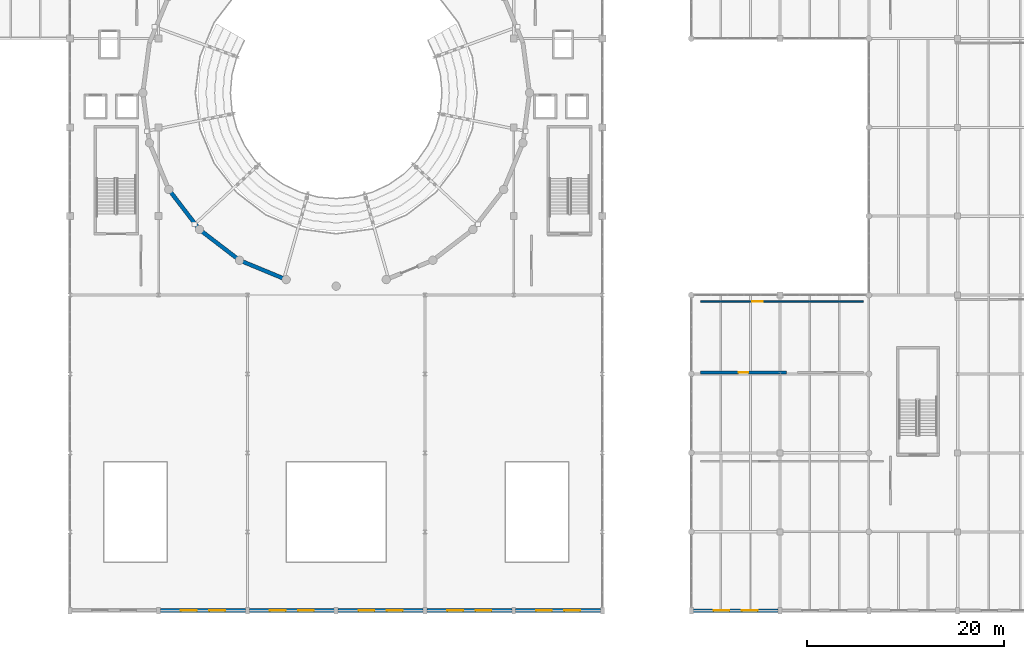
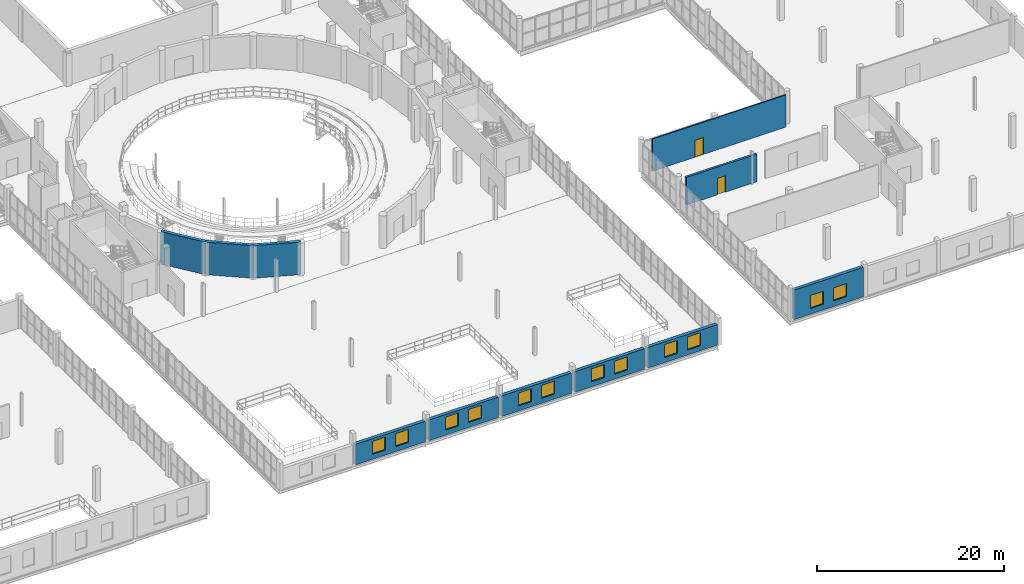
# One storey, part 56 of 73: 12 windows, 11 walls, 2 doors, 14 openings.
"""IFC4 building model written with IfcOpenShell, lengths in metres."""

from ifc_helpers import new_model, si_unit, direction, frame, frame_2d, origin, place, context, subcontext, project, spatial, rectangle, extrude, material, layer, layer_set, type_object, element, fill, save


model = new_model("IFC4")

# Units and contexts
model_context = context("Model", 3, precision=1e-05, world=origin(), true_north=direction((0.0, 1.0)))
body_context = subcontext(model_context, "Body", "Model", "MODEL_VIEW")
ifc_project = project(units=[si_unit("LENGTHUNIT", "METRE"), si_unit("AREAUNIT", "SQUARE_METRE"), si_unit("VOLUMEUNIT", "CUBIC_METRE"), si_unit("PLANEANGLEUNIT", "RADIAN"), si_unit("MASSUNIT", "GRAM", prefix="KILO")], contexts=[model_context])

# Site, building, storey
site_placement = place(None, origin())
site = spatial("IfcSite", under=ifc_project, at=site_placement, CompositionType="ELEMENT")
building_placement = place(site_placement, origin())
building = spatial("IfcBuilding", under=site, at=building_placement, Name="Marnock Terrace Opera House", CompositionType="ELEMENT")
storey_placement = place(building_placement, frame((0.0, 0.0, 14.699951171875)))
storey = spatial("IfcBuildingStorey", under=building, at=storey_placement, Name="L03", CompositionType="ELEMENT", Elevation=14.699951171875)

# Wall, openings, windows
ifc_material_1 = material(Name="Basket Range sandstone ashlar masonry", Category="masonry")
ifc_layer_1 = layer(ifc_material_1, 0.389892578125)
ifc_layer_set_1 = layer_set([ifc_layer_1], Name="Basket Range sandstone ashlar masonry")
wall_type_1 = type_object("IfcWallType", Name="EW-ASHLAR-390", PredefinedType="SOLIDWALL", material=ifc_layer_set_1)
wall_1_placement = place(storey_placement, frame((118.196044921875, 8.0, 0.0), z_axis=(0.0, 0.0, 1.0), x_axis=(1.0, 0.0, 0.0)))
wall_1 = element("IfcWall", 1, at=wall_1_placement, inside=storey, type_object=wall_type_1, Name="L03 Volume 5 south sandstone facade 1", PredefinedType="SOLIDWALL", context=body_context, shape_type="SweptSolid", body=[
    extrude(rectangle(XDim=8.60791015625, YDim=0.389892578125, at=frame_2d((4.303955078125, 0.0))), origin(), (0.0, 0.0, 1.0), 3.841552734375),
])
opening_1_placement = place(wall_1_placement, frame((2.0693359375, 0.0, 0.75)))
opening_1 = element("IfcOpeningElement", 2, at=opening_1_placement, cuts=wall_1, Name="Opening WT-107", PredefinedType="OPENING", context=body_context, shape_type="SweptSolid", body=[
    extrude(rectangle(XDim=1.60009765625, YDim=1.699951171875, at=frame_2d((0.800048828125, 0.85009765625))), frame((0.0, 0.204833984375, 0.0), z_axis=(0.0, -1.0, 0.0), x_axis=(1.0, 0.0, 0.0)), (0.0, 0.0, 1.0), 0.409912109375),
])
opening_2_placement = place(wall_1_placement, frame((4.938720703125, 0.0, 0.75)))
opening_2 = element("IfcOpeningElement", 3, at=opening_2_placement, cuts=wall_1, Name="Opening WT-107", PredefinedType="OPENING", context=body_context, shape_type="SweptSolid", body=[
    extrude(rectangle(XDim=1.60009765625, YDim=1.699951171875, at=frame_2d((0.800048828125, 0.85009765625))), frame((0.0, 0.204833984375, 0.0), z_axis=(0.0, -1.0, 0.0), x_axis=(1.0, 0.0, 0.0)), (0.0, 0.0, 1.0), 0.409912109375),
])
ifc_material_2 = material(Name="Double-glazed acoustic low-E laminated glass", Category="glass")
window_type = type_object("IfcWindowType", Name="WT-ATTIC-1600", PartitioningType="SINGLE_PANEL", PredefinedType="WINDOW", material=ifc_material_2)
window_1_placement = place(opening_1_placement, origin())
window_1 = element("IfcWindow", 4, at=window_1_placement, inside=storey, type_object=window_type, Name="L03 facade window EW-V5S-L03-1.1", OverallHeight=1.699951171875, OverallWidth=1.60009765625, PartitioningType="SINGLE_PANEL", PredefinedType="WINDOW", context=body_context, shape_type="SweptSolid", body=[
    extrude(rectangle(XDim=1.60009765625, YDim=1.699951171875, at=frame_2d((0.800048828125, 0.85009765625))), frame((0.0, 0.030029296875, 0.0), z_axis=(0.0, -1.0, 0.0), x_axis=(1.0, 0.0, 0.0)), (0.0, 0.0, 1.0), 0.06005859375),
])
fill(opening_1, window_1)
window_2_placement = place(opening_2_placement, origin())
window_2 = element("IfcWindow", 5, at=window_2_placement, inside=storey, type_object=window_type, Name="L03 facade window EW-V5S-L03-1.2", OverallHeight=1.699951171875, OverallWidth=1.60009765625, PartitioningType="SINGLE_PANEL", PredefinedType="WINDOW", context=body_context, shape_type="SweptSolid", body=[
    extrude(rectangle(XDim=1.60009765625, YDim=1.699951171875, at=frame_2d((0.800048828125, 0.85009765625))), frame((0.0, 0.030029296875, 0.0), z_axis=(0.0, -1.0, 0.0), x_axis=(1.0, 0.0, 0.0)), (0.0, 0.0, 1.0), 0.06005859375),
])
fill(opening_2, window_2)

ifc_layer_2 = layer(ifc_material_1, 0.405029296875)
ifc_layer_set_2 = layer_set([ifc_layer_2], Name="Basket Range sandstone ashlar masonry")
wall_type_2 = type_object("IfcWallType", Name="EW-ASHLAR-405", PredefinedType="SOLIDWALL", material=ifc_layer_set_2)
wall_2_placement = place(storey_placement, frame((64.196044921875, 8.0, 0.0), z_axis=(0.0, 0.0, 1.0), x_axis=(1.0, 0.0, 0.0)))
wall_2 = element("IfcWall", 6, at=wall_2_placement, inside=storey, type_object=wall_type_2, Name="L03 Grand Hall south sandstone arcade bay 2", PredefinedType="SOLIDWALL", context=body_context, shape_type="SweptSolid", body=[
    extrude(rectangle(XDim=8.60791015625, YDim=0.405029296875, at=frame_2d((4.303955078125, 0.0))), origin(), (0.0, 0.0, 1.0), 2.679931640625),
])
opening_3_placement = place(wall_2_placement, frame((2.0693359375, 0.0, 0.64990234375)))
opening_3 = element("IfcOpeningElement", 7, at=opening_3_placement, cuts=wall_2, Name="Opening WT-107", PredefinedType="OPENING", context=body_context, shape_type="SweptSolid", body=[
    extrude(rectangle(XDim=1.60009765625, YDim=1.699951171875, at=frame_2d((0.800048828125, 0.85009765625))), frame((0.0, 0.21240234375, 0.0), z_axis=(0.0, -1.0, 0.0), x_axis=(1.0, 0.0, 0.0)), (0.0, 0.0, 1.0), 0.425048828125),
])
opening_4_placement = place(wall_2_placement, frame((4.938720703125, 0.0, 0.64990234375)))
opening_4 = element("IfcOpeningElement", 8, at=opening_4_placement, cuts=wall_2, Name="Opening WT-107", PredefinedType="OPENING", context=body_context, shape_type="SweptSolid", body=[
    extrude(rectangle(XDim=1.60009765625, YDim=1.699951171875, at=frame_2d((0.800048828125, 0.85009765625))), frame((0.0, 0.21240234375, 0.0), z_axis=(0.0, -1.0, 0.0), x_axis=(1.0, 0.0, 0.0)), (0.0, 0.0, 1.0), 0.425048828125),
])
window_3_placement = place(opening_3_placement, origin())
window_3 = element("IfcWindow", 9, at=window_3_placement, inside=storey, type_object=window_type, Name="L03 facade window EW-V1S-L03-2.1", OverallHeight=1.699951171875, OverallWidth=1.60009765625, PartitioningType="SINGLE_PANEL", PredefinedType="WINDOW", context=body_context, shape_type="SweptSolid", body=[
    extrude(rectangle(XDim=1.60009765625, YDim=1.699951171875, at=frame_2d((0.800048828125, 0.85009765625))), frame((0.0, 0.030029296875, 0.0), z_axis=(0.0, -1.0, 0.0), x_axis=(1.0, 0.0, 0.0)), (0.0, 0.0, 1.0), 0.06005859375),
])
fill(opening_3, window_3)
window_4_placement = place(opening_4_placement, origin())
window_4 = element("IfcWindow", 10, at=window_4_placement, inside=storey, type_object=window_type, Name="L03 facade window EW-V1S-L03-2.2", OverallHeight=1.699951171875, OverallWidth=1.60009765625, PartitioningType="SINGLE_PANEL", PredefinedType="WINDOW", context=body_context, shape_type="SweptSolid", body=[
    extrude(rectangle(XDim=1.60009765625, YDim=1.699951171875, at=frame_2d((0.800048828125, 0.85009765625))), frame((0.0, 0.030029296875, 0.0), z_axis=(0.0, -1.0, 0.0), x_axis=(1.0, 0.0, 0.0)), (0.0, 0.0, 1.0), 0.06005859375),
])
fill(opening_4, window_4)

wall_3_placement = place(storey_placement, frame((73.196044921875, 8.0, 0.0), z_axis=(0.0, 0.0, 1.0), x_axis=(1.0, 0.0, 0.0)))
wall_3 = element("IfcWall", 11, at=wall_3_placement, inside=storey, type_object=wall_type_2, Name="L03 Grand Hall south sandstone arcade bay 3", PredefinedType="SOLIDWALL", context=body_context, shape_type="SweptSolid", body=[
    extrude(rectangle(XDim=8.60791015625, YDim=0.405029296875, at=frame_2d((4.303955078125, 0.0))), origin(), (0.0, 0.0, 1.0), 2.679931640625),
])
opening_5_placement = place(wall_3_placement, frame((2.0693359375, 0.0, 0.64990234375)))
opening_5 = element("IfcOpeningElement", 12, at=opening_5_placement, cuts=wall_3, Name="Opening WT-107", PredefinedType="OPENING", context=body_context, shape_type="SweptSolid", body=[
    extrude(rectangle(XDim=1.60009765625, YDim=1.699951171875, at=frame_2d((0.800048828125, 0.85009765625))), frame((0.0, 0.21240234375, 0.0), z_axis=(0.0, -1.0, 0.0), x_axis=(1.0, 0.0, 0.0)), (0.0, 0.0, 1.0), 0.425048828125),
])
opening_6_placement = place(wall_3_placement, frame((4.938720703125, 0.0, 0.64990234375)))
opening_6 = element("IfcOpeningElement", 13, at=opening_6_placement, cuts=wall_3, Name="Opening WT-107", PredefinedType="OPENING", context=body_context, shape_type="SweptSolid", body=[
    extrude(rectangle(XDim=1.60009765625, YDim=1.699951171875, at=frame_2d((0.800048828125, 0.85009765625))), frame((0.0, 0.21240234375, 0.0), z_axis=(0.0, -1.0, 0.0), x_axis=(1.0, 0.0, 0.0)), (0.0, 0.0, 1.0), 0.425048828125),
])
window_5_placement = place(opening_5_placement, origin())
window_5 = element("IfcWindow", 14, at=window_5_placement, inside=storey, type_object=window_type, Name="L03 facade window EW-V1S-L03-3.1", OverallHeight=1.699951171875, OverallWidth=1.60009765625, PartitioningType="SINGLE_PANEL", PredefinedType="WINDOW", context=body_context, shape_type="SweptSolid", body=[
    extrude(rectangle(XDim=1.60009765625, YDim=1.699951171875, at=frame_2d((0.800048828125, 0.85009765625))), frame((0.0, 0.030029296875, 0.0), z_axis=(0.0, -1.0, 0.0), x_axis=(1.0, 0.0, 0.0)), (0.0, 0.0, 1.0), 0.06005859375),
])
fill(opening_5, window_5)
window_6_placement = place(opening_6_placement, origin())
window_6 = element("IfcWindow", 15, at=window_6_placement, inside=storey, type_object=window_type, Name="L03 facade window EW-V1S-L03-3.2", OverallHeight=1.699951171875, OverallWidth=1.60009765625, PartitioningType="SINGLE_PANEL", PredefinedType="WINDOW", context=body_context, shape_type="SweptSolid", body=[
    extrude(rectangle(XDim=1.60009765625, YDim=1.699951171875, at=frame_2d((0.800048828125, 0.85009765625))), frame((0.0, 0.030029296875, 0.0), z_axis=(0.0, -1.0, 0.0), x_axis=(1.0, 0.0, 0.0)), (0.0, 0.0, 1.0), 0.06005859375),
])
fill(opening_6, window_6)

wall_4_placement = place(storey_placement, frame((82.196044921875, 8.0, 0.0), z_axis=(0.0, 0.0, 1.0), x_axis=(1.0, 0.0, 0.0)))
wall_4 = element("IfcWall", 16, at=wall_4_placement, inside=storey, type_object=wall_type_2, Name="L03 Grand Hall south sandstone arcade bay 4", PredefinedType="SOLIDWALL", context=body_context, shape_type="SweptSolid", body=[
    extrude(rectangle(XDim=8.60791015625, YDim=0.405029296875, at=frame_2d((4.303955078125, 0.0))), origin(), (0.0, 0.0, 1.0), 2.679931640625),
])
opening_7_placement = place(wall_4_placement, frame((2.0693359375, 0.0, 0.64990234375)))
opening_7 = element("IfcOpeningElement", 17, at=opening_7_placement, cuts=wall_4, Name="Opening WT-107", PredefinedType="OPENING", context=body_context, shape_type="SweptSolid", body=[
    extrude(rectangle(XDim=1.60009765625, YDim=1.699951171875, at=frame_2d((0.800048828125, 0.85009765625))), frame((0.0, 0.21240234375, 0.0), z_axis=(0.0, -1.0, 0.0), x_axis=(1.0, 0.0, 0.0)), (0.0, 0.0, 1.0), 0.425048828125),
])
opening_8_placement = place(wall_4_placement, frame((4.938720703125, 0.0, 0.64990234375)))
opening_8 = element("IfcOpeningElement", 18, at=opening_8_placement, cuts=wall_4, Name="Opening WT-107", PredefinedType="OPENING", context=body_context, shape_type="SweptSolid", body=[
    extrude(rectangle(XDim=1.60009765625, YDim=1.699951171875, at=frame_2d((0.800048828125, 0.85009765625))), frame((0.0, 0.21240234375, 0.0), z_axis=(0.0, -1.0, 0.0), x_axis=(1.0, 0.0, 0.0)), (0.0, 0.0, 1.0), 0.425048828125),
])
window_7_placement = place(opening_7_placement, origin())
window_7 = element("IfcWindow", 19, at=window_7_placement, inside=storey, type_object=window_type, Name="L03 facade window EW-V1S-L03-4.1", OverallHeight=1.699951171875, OverallWidth=1.60009765625, PartitioningType="SINGLE_PANEL", PredefinedType="WINDOW", context=body_context, shape_type="SweptSolid", body=[
    extrude(rectangle(XDim=1.60009765625, YDim=1.699951171875, at=frame_2d((0.800048828125, 0.85009765625))), frame((0.0, 0.030029296875, 0.0), z_axis=(0.0, -1.0, 0.0), x_axis=(1.0, 0.0, 0.0)), (0.0, 0.0, 1.0), 0.06005859375),
])
fill(opening_7, window_7)
window_8_placement = place(opening_8_placement, origin())
window_8 = element("IfcWindow", 20, at=window_8_placement, inside=storey, type_object=window_type, Name="L03 facade window EW-V1S-L03-4.2", OverallHeight=1.699951171875, OverallWidth=1.60009765625, PartitioningType="SINGLE_PANEL", PredefinedType="WINDOW", context=body_context, shape_type="SweptSolid", body=[
    extrude(rectangle(XDim=1.60009765625, YDim=1.699951171875, at=frame_2d((0.800048828125, 0.85009765625))), frame((0.0, 0.030029296875, 0.0), z_axis=(0.0, -1.0, 0.0), x_axis=(1.0, 0.0, 0.0)), (0.0, 0.0, 1.0), 0.06005859375),
])
fill(opening_8, window_8)

wall_5_placement = place(storey_placement, frame((91.196044921875, 8.0, 0.0), z_axis=(0.0, 0.0, 1.0), x_axis=(1.0, 0.0, 0.0)))
wall_5 = element("IfcWall", 21, at=wall_5_placement, inside=storey, type_object=wall_type_2, Name="L03 Grand Hall south sandstone arcade bay 5", PredefinedType="SOLIDWALL", context=body_context, shape_type="SweptSolid", body=[
    extrude(rectangle(XDim=8.60791015625, YDim=0.405029296875, at=frame_2d((4.303955078125, 0.0))), origin(), (0.0, 0.0, 1.0), 2.679931640625),
])
opening_9_placement = place(wall_5_placement, frame((2.0693359375, 0.0, 0.64990234375)))
opening_9 = element("IfcOpeningElement", 22, at=opening_9_placement, cuts=wall_5, Name="Opening WT-107", PredefinedType="OPENING", context=body_context, shape_type="SweptSolid", body=[
    extrude(rectangle(XDim=1.60009765625, YDim=1.699951171875, at=frame_2d((0.800048828125, 0.85009765625))), frame((0.0, 0.21240234375, 0.0), z_axis=(0.0, -1.0, 0.0), x_axis=(1.0, 0.0, 0.0)), (0.0, 0.0, 1.0), 0.425048828125),
])
opening_10_placement = place(wall_5_placement, frame((4.938720703125, 0.0, 0.64990234375)))
opening_10 = element("IfcOpeningElement", 23, at=opening_10_placement, cuts=wall_5, Name="Opening WT-107", PredefinedType="OPENING", context=body_context, shape_type="SweptSolid", body=[
    extrude(rectangle(XDim=1.60009765625, YDim=1.699951171875, at=frame_2d((0.800048828125, 0.85009765625))), frame((0.0, 0.21240234375, 0.0), z_axis=(0.0, -1.0, 0.0), x_axis=(1.0, 0.0, 0.0)), (0.0, 0.0, 1.0), 0.425048828125),
])
window_9_placement = place(opening_9_placement, origin())
window_9 = element("IfcWindow", 24, at=window_9_placement, inside=storey, type_object=window_type, Name="L03 facade window EW-V1S-L03-5.1", OverallHeight=1.699951171875, OverallWidth=1.60009765625, PartitioningType="SINGLE_PANEL", PredefinedType="WINDOW", context=body_context, shape_type="SweptSolid", body=[
    extrude(rectangle(XDim=1.60009765625, YDim=1.699951171875, at=frame_2d((0.800048828125, 0.85009765625))), frame((0.0, 0.030029296875, 0.0), z_axis=(0.0, -1.0, 0.0), x_axis=(1.0, 0.0, 0.0)), (0.0, 0.0, 1.0), 0.06005859375),
])
fill(opening_9, window_9)
window_10_placement = place(opening_10_placement, origin())
window_10 = element("IfcWindow", 25, at=window_10_placement, inside=storey, type_object=window_type, Name="L03 facade window EW-V1S-L03-5.2", OverallHeight=1.699951171875, OverallWidth=1.60009765625, PartitioningType="SINGLE_PANEL", PredefinedType="WINDOW", context=body_context, shape_type="SweptSolid", body=[
    extrude(rectangle(XDim=1.60009765625, YDim=1.699951171875, at=frame_2d((0.800048828125, 0.85009765625))), frame((0.0, 0.030029296875, 0.0), z_axis=(0.0, -1.0, 0.0), x_axis=(1.0, 0.0, 0.0)), (0.0, 0.0, 1.0), 0.06005859375),
])
fill(opening_10, window_10)

wall_6_placement = place(storey_placement, frame((100.196044921875, 8.0, 0.0), z_axis=(0.0, 0.0, 1.0), x_axis=(1.0, 0.0, 0.0)))
wall_6 = element("IfcWall", 26, at=wall_6_placement, inside=storey, type_object=wall_type_2, Name="L03 Grand Hall south sandstone arcade bay 6", PredefinedType="SOLIDWALL", context=body_context, shape_type="SweptSolid", body=[
    extrude(rectangle(XDim=8.60791015625, YDim=0.405029296875, at=frame_2d((4.303955078125, 0.0))), origin(), (0.0, 0.0, 1.0), 2.679931640625),
])
opening_11_placement = place(wall_6_placement, frame((2.0693359375, 0.0, 0.64990234375)))
opening_11 = element("IfcOpeningElement", 27, at=opening_11_placement, cuts=wall_6, Name="Opening WT-107", PredefinedType="OPENING", context=body_context, shape_type="SweptSolid", body=[
    extrude(rectangle(XDim=1.60009765625, YDim=1.699951171875, at=frame_2d((0.800048828125, 0.85009765625))), frame((0.0, 0.21240234375, 0.0), z_axis=(0.0, -1.0, 0.0), x_axis=(1.0, 0.0, 0.0)), (0.0, 0.0, 1.0), 0.425048828125),
])
opening_12_placement = place(wall_6_placement, frame((4.938720703125, 0.0, 0.64990234375)))
opening_12 = element("IfcOpeningElement", 28, at=opening_12_placement, cuts=wall_6, Name="Opening WT-107", PredefinedType="OPENING", context=body_context, shape_type="SweptSolid", body=[
    extrude(rectangle(XDim=1.60009765625, YDim=1.699951171875, at=frame_2d((0.800048828125, 0.85009765625))), frame((0.0, 0.21240234375, 0.0), z_axis=(0.0, -1.0, 0.0), x_axis=(1.0, 0.0, 0.0)), (0.0, 0.0, 1.0), 0.425048828125),
])
window_11_placement = place(opening_11_placement, origin())
window_11 = element("IfcWindow", 29, at=window_11_placement, inside=storey, type_object=window_type, Name="L03 facade window EW-V1S-L03-6.1", OverallHeight=1.699951171875, OverallWidth=1.60009765625, PartitioningType="SINGLE_PANEL", PredefinedType="WINDOW", context=body_context, shape_type="SweptSolid", body=[
    extrude(rectangle(XDim=1.60009765625, YDim=1.699951171875, at=frame_2d((0.800048828125, 0.85009765625))), frame((0.0, 0.030029296875, 0.0), z_axis=(0.0, -1.0, 0.0), x_axis=(1.0, 0.0, 0.0)), (0.0, 0.0, 1.0), 0.06005859375),
])
fill(opening_11, window_11)
window_12_placement = place(opening_12_placement, origin())
window_12 = element("IfcWindow", 30, at=window_12_placement, inside=storey, type_object=window_type, Name="L03 facade window EW-V1S-L03-6.2", OverallHeight=1.699951171875, OverallWidth=1.60009765625, PartitioningType="SINGLE_PANEL", PredefinedType="WINDOW", context=body_context, shape_type="SweptSolid", body=[
    extrude(rectangle(XDim=1.60009765625, YDim=1.699951171875, at=frame_2d((0.800048828125, 0.85009765625))), frame((0.0, 0.030029296875, 0.0), z_axis=(0.0, -1.0, 0.0), x_axis=(1.0, 0.0, 0.0)), (0.0, 0.0, 1.0), 0.06005859375),
])
fill(opening_12, window_12)

# Wall, opening, door
ifc_material_3 = material(Name="Double-stud acoustic plasterboard with mineral-wool infill")
ifc_layer_3 = layer(ifc_material_3, 0.14794921875)
ifc_layer_set_3 = layer_set([ifc_layer_3], Name="Double-stud acoustic plasterboard with mineral-wool infill")
wall_type_3 = type_object("IfcWallType", Name="IW-PART-148", PredefinedType="PARTITIONING", material=ifc_layer_set_3)
wall_7_placement = place(storey_placement, frame((118.949951171875, 39.35009765625, 0.0), z_axis=(0.0, 0.0, 1.0), x_axis=(1.0, 0.0, 0.0)))
wall_7 = element("IfcWall", 31, at=wall_7_placement, inside=storey, type_object=wall_type_3, Name="L03 Archive Listening Salon acoustic partition wall", PredefinedType="PARTITIONING", context=body_context, shape_type="SweptSolid", body=[
    extrude(rectangle(XDim=16.5, YDim=0.14794921875, at=frame_2d((8.25, 0.0))), origin(), (0.0, 0.0, 1.0), 4.199951171875),
])
opening_13_placement = place(wall_7_placement, frame((5.2451171875, 0.0, 0.0)))
opening_13 = element("IfcOpeningElement", 32, at=opening_13_placement, cuts=wall_7, Name="Opening D-L03-21", PredefinedType="OPENING", context=body_context, shape_type="SweptSolid", body=[
    extrude(rectangle(XDim=1.06005859375, YDim=2.199951171875, at=frame_2d((0.530029296875, 1.10009765625))), frame((0.0, 0.083984375, 0.0), z_axis=(0.0, -1.0, 0.0), x_axis=(1.0, 0.0, 0.0)), (0.0, 0.0, 1.0), 0.16796875),
])
ifc_material_4 = material(Name="Solid-core Tasmanian oak acoustic door leaf")
door_type_1 = type_object("IfcDoorType", Name="DT-SUITE-1060", OperationType="NOTDEFINED", PredefinedType="DOOR", material=ifc_material_4)
door_1_placement = place(opening_13_placement, origin())
door_1 = element("IfcDoor", 33, at=door_1_placement, inside=storey, type_object=door_type_1, Name="L03 Archive Listening Salon entrance door", OperationType="SINGLE_SWING_RIGHT", OverallHeight=2.199951171875, OverallWidth=1.06005859375, PredefinedType="DOOR", context=body_context, shape_type="SweptSolid", body=[
    extrude(rectangle(XDim=1.06005859375, YDim=2.199951171875, at=frame_2d((0.530029296875, 1.10009765625))), frame((0.0, 0.02490234375, 0.0), z_axis=(0.0, -1.0, 0.0), x_axis=(1.0, 0.0, 0.0)), (0.0, 0.0, 1.0), 0.050048828125),
])
fill(opening_13, door_1)

ifc_material_5 = material(Name="Moisture-resistant tiled service duct framing")
ifc_layer_4 = layer(ifc_material_5, 0.264892578125)
ifc_layer_set_4 = layer_set([ifc_layer_4], Name="Moisture-resistant tiled service duct framing")
wall_type_4 = type_object("IfcWallType", Name="IW-PLUMB-265", PredefinedType="PLUMBINGWALL", material=ifc_layer_set_4)
wall_8_placement = place(storey_placement, frame((118.949951171875, 32.14990234375, 0.0), z_axis=(0.0, 0.0, 1.0), x_axis=(1.0, 0.0, 0.0)))
wall_8 = element("IfcWall", 34, at=wall_8_placement, inside=storey, type_object=wall_type_4, Name="L03 Public WC L03 East acoustic partition wall", PredefinedType="PLUMBINGWALL", context=body_context, shape_type="SweptSolid", body=[
    extrude(rectangle(XDim=8.699951171875, YDim=0.264892578125, at=frame_2d((4.35009765625, 0.0))), origin(), (0.0, 0.0, 1.0), 3.613037109375),
])
opening_14_placement = place(wall_8_placement, frame((3.860107421875, 0.0, 0.0)))
opening_14 = element("IfcOpeningElement", 35, at=opening_14_placement, cuts=wall_8, Name="Opening D-L03-19", PredefinedType="OPENING", context=body_context, shape_type="SweptSolid", body=[
    extrude(rectangle(XDim=0.97998046875, YDim=2.139892578125, at=frame_2d((0.489990234375, 1.06982421875))), frame((0.0, 0.142333984375, 0.0), z_axis=(0.0, -1.0, 0.0), x_axis=(1.0, 0.0, 0.0)), (0.0, 0.0, 1.0), 0.284912109375),
])
door_type_2 = type_object("IfcDoorType", Name="DT-WC-980", OperationType="NOTDEFINED", PredefinedType="DOOR", material=ifc_material_4)
door_2_placement = place(opening_14_placement, origin())
door_2 = element("IfcDoor", 36, at=door_2_placement, inside=storey, type_object=door_type_2, Name="L03 Public WC L03 East entrance door", OperationType="SINGLE_SWING_RIGHT", OverallHeight=2.139892578125, OverallWidth=0.97998046875, PredefinedType="DOOR", context=body_context, shape_type="SweptSolid", body=[
    extrude(rectangle(XDim=0.97998046875, YDim=2.139892578125, at=frame_2d((0.489990234375, 1.06982421875))), frame((0.0, 0.02490234375, 0.0), z_axis=(0.0, -1.0, 0.0), x_axis=(1.0, 0.0, 0.0)), (0.0, 0.0, 1.0), 0.050048828125),
])
fill(opening_14, door_2)

# Walls
ifc_material_6 = material(Name="Concrete N50 (f'c = 50 MPa)", Category="concrete")
ifc_layer_5 = layer(ifc_material_6, 0.39990234375)
ifc_layer_set_5 = layer_set([ifc_layer_5], Name="Concrete N50 (f'c = 50 MPa)")
wall_type_5 = type_object("IfcWallType", Name="SW-DRUM-400", PredefinedType="SHEAR", material=ifc_layer_set_5)
for number, where, z_axis, x_axis, name in (
    (37, (65.02587890625, 50.699951171875, 0.0), (0.0, 0.0, 1.0), (0.608857194409, -0.793279847731, 0.0), "L03 cylindrical auditorium drum shear wall 15"),
    (38, (68.14111328125, 46.64111328125, 0.0), (0.0, 0.0, 1.0), (0.793279847731, -0.608857194409, 0.0), "L03 cylindrical auditorium drum shear wall 16"),
    (39, (72.199951171875, 43.52587890625, 0.0), (0.0, 0.0, 1.0), (0.923896452635, -0.382642581018, 0.0), "L03 cylindrical auditorium drum shear wall 17"),
):
    element("IfcWall", number, at=place(storey_placement, frame(where, z_axis=z_axis, x_axis=x_axis)), inside=storey, type_object=wall_type_5, Name=name, PredefinedType="SHEAR", context=body_context, shape_type="SweptSolid", body=[
        extrude(rectangle(XDim=5.116455078125, YDim=0.39990234375, at=frame_2d((2.55810546875, 0.0))), origin(), (0.0, 0.0, 1.0), 4.25),
    ])

save(model, "model.ifc")
